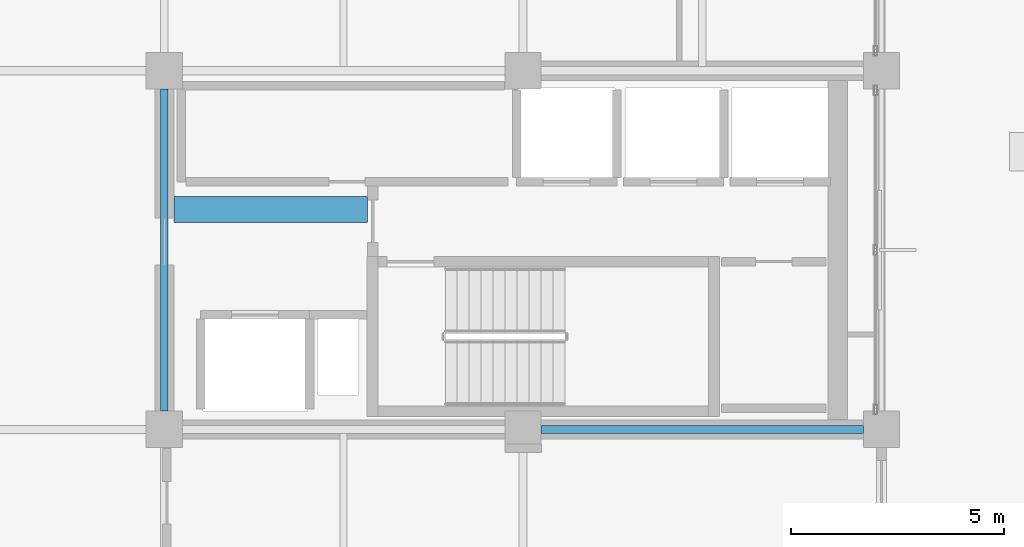
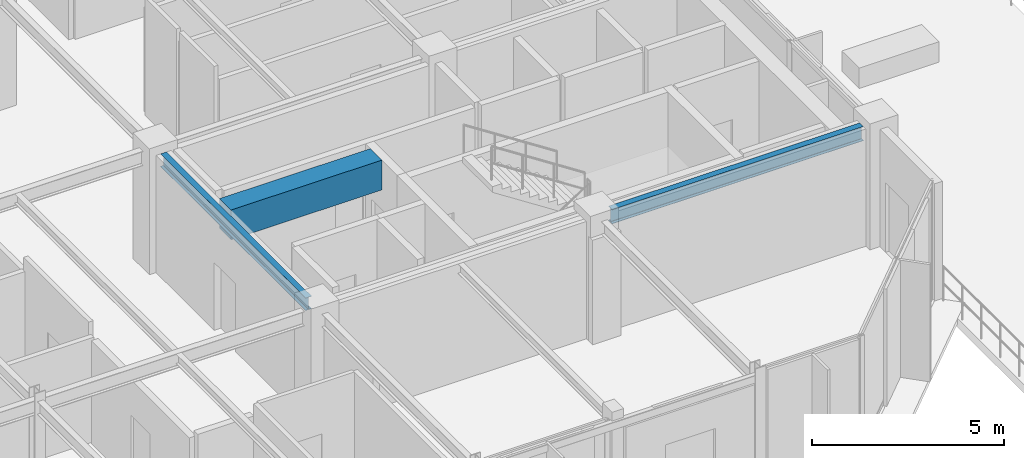
# One storey, part 6 of 23: 3 beams.
"""IFC4 building model written with IfcOpenShell, lengths in metres."""

from ifc_helpers import new_model, si_unit, direction, frame, origin, origin_2d, place, context, subcontext, project, spatial, rectangle, i_section, extrude, material, material_profile, profile_set, type_object, element, save


model = new_model("IFC4")

# Units and contexts
model_context = context("Model", 3, precision=1e-05, world=origin(), true_north=direction((0.0, 1.0)))
body_context = subcontext(model_context, "Body", "Model", "MODEL_VIEW")
ifc_project = project(units=[si_unit("LENGTHUNIT", "METRE"), si_unit("AREAUNIT", "SQUARE_METRE"), si_unit("VOLUMEUNIT", "CUBIC_METRE"), si_unit("PLANEANGLEUNIT", "RADIAN"), si_unit("MASSUNIT", "GRAM", prefix="KILO")], contexts=[model_context])

# Site, building, storey
site_placement = place(None, origin())
site = spatial("IfcSite", under=ifc_project, at=site_placement, CompositionType="ELEMENT")
building_placement = place(site_placement, origin())
building = spatial("IfcBuilding", under=site, at=building_placement, Name="Nerrivon Quay Data Exchange", CompositionType="ELEMENT")
storey_placement = place(building_placement, frame((0.0, 0.0, 286.199951171875)))
storey = spatial("IfcBuildingStorey", under=building, at=storey_placement, Name="L68", CompositionType="ELEMENT", Elevation=286.199951171875)

# Beams
ifc_material_1 = material(Name="Concrete N50 (50 MPa)", Category="concrete")
ifc_material_profile_1 = material_profile(ifc_material_1, rectangle(XDim=0.60009765625, YDim=0.949951171875, at=origin_2d()), Name="RC-CB-600x950")
ifc_profile_set_1 = profile_set([ifc_material_profile_1], Name="Concrete N50 (50 MPa)")
beam_type_1 = type_object("IfcBeamType", Name="BM-CB2-600x950", PredefinedType="LINTEL", material=ifc_profile_set_1)
beam_1_placement = place(storey_placement, frame((17.02490234375, 13.550048828125, 3.25), z_axis=(1.0, 0.0, 0.0), x_axis=(0.0, 1.0, 0.0)))
element("IfcBeam", 1, at=beam_1_placement, inside=storey, type_object=beam_type_1, Name="L68 East Core Coupling Beam", PredefinedType="LINTEL", context=body_context, shape_type="SweptSolid", body=[
    extrude(rectangle(XDim=0.60009765625, YDim=0.949951171875, at=origin_2d()), origin(), (0.0, 0.0, 1.0), 4.530029296875),
])
ifc_material_2 = material(Name="Steel Grade 350", Category="steel")
ifc_material_profile_2 = material_profile(ifc_material_2, i_section(OverallWidth=0.18994140625, OverallDepth=0.4541015625, WebThickness=0.008544921875, FlangeThickness=0.0126953125, FilletRadius=0.011474609375, at=origin_2d()), Name="460UB67.1")
ifc_profile_set_2 = profile_set([ifc_material_profile_2], Name="Steel Grade 350")
beam_type_2 = type_object("IfcBeamType", Name="BM-G6-460UB67", PredefinedType="BEAM", material=ifc_profile_set_2)
beam_2_placement = place(storey_placement, frame((25.625, 8.39990234375, 3.498046875), z_axis=(1.0, 0.0, 0.0), x_axis=(0.0, 1.0, 0.0)))
element("IfcBeam", 2, at=beam_2_placement, inside=storey, type_object=beam_type_2, Name="L68 EW Girder Y=8.4 (25.2..33.6)", PredefinedType="BEAM", context=body_context, shape_type="SweptSolid", body=[
    extrude(i_section(OverallWidth=0.18994140625, OverallDepth=0.4541015625, WebThickness=0.008544921875, FlangeThickness=0.0126953125, FilletRadius=0.011474609375, at=origin_2d()), origin(), (0.0, 0.0, 1.0), 7.550048828125),
])
ifc_material_profile_3 = material_profile(ifc_material_2, i_section(OverallWidth=0.177978515625, OverallDepth=0.406005859375, WebThickness=0.0078125, FlangeThickness=0.0126953125, FilletRadius=0.011474609375, at=origin_2d()), Name="410UB59.7")
ifc_profile_set_3 = profile_set([ifc_material_profile_3], Name="Steel Grade 350")
beam_type_3 = type_object("IfcBeamType", Name="BM-J1-410UB60", PredefinedType="JOIST", material=ifc_profile_set_3)
beam_3_placement = place(storey_placement, frame((16.800048828125, 8.824951171875, 3.52197265625), z_axis=(0.0, 1.0, 0.0), x_axis=(-1.0, 0.0, 0.0)))
element("IfcBeam", 3, at=beam_3_placement, inside=storey, type_object=beam_type_3, Name="L68 NS Girder X=16.8 (8.4..16.8)", PredefinedType="JOIST", context=body_context, shape_type="SweptSolid", body=[
    extrude(i_section(OverallWidth=0.177978515625, OverallDepth=0.406005859375, WebThickness=0.0078125, FlangeThickness=0.0126953125, FilletRadius=0.011474609375, at=origin_2d()), origin(), (0.0, 0.0, 1.0), 7.550048828125),
])

save(model, "model.ifc")
